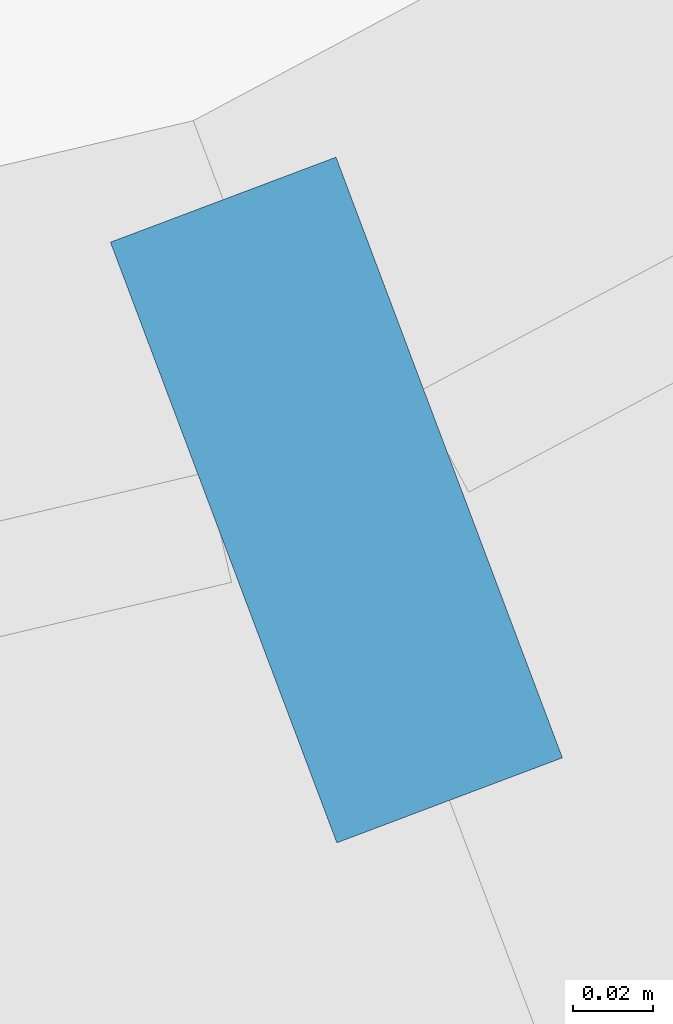
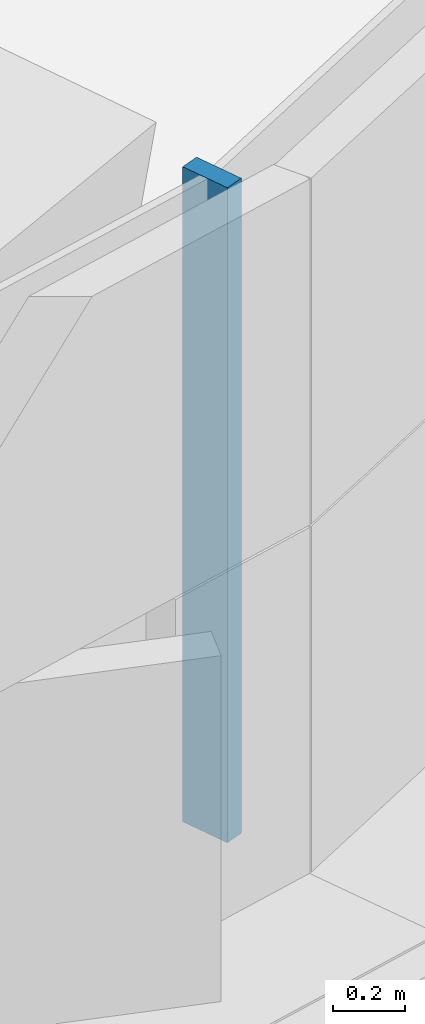
# One storey, part 2 of 33: 1 member, 1 element without a shape of its own.
"""IFC4 building model written with IfcOpenShell, lengths in metres."""

from ifc_helpers import new_model, si_unit, direction, frame, origin, origin_2d, place, context, subcontext, project, spatial, rectangle, extrude, material, layer, layer_set, material_profile, profile_set, type_object, element, aggregate, save


model = new_model("IFC4")

# Units and contexts
model_context = context("Model", 3, precision=1e-05, world=origin(), true_north=direction((0.0, 1.0)))
body_context = subcontext(model_context, "Body", "Model", "MODEL_VIEW")
ifc_project = project(units=[si_unit("LENGTHUNIT", "METRE"), si_unit("AREAUNIT", "SQUARE_METRE"), si_unit("VOLUMEUNIT", "CUBIC_METRE"), si_unit("PLANEANGLEUNIT", "RADIAN"), si_unit("MASSUNIT", "GRAM", prefix="KILO")], contexts=[model_context])

# Site, building, storey
site_placement = place(None, origin())
site = spatial("IfcSite", under=ifc_project, at=site_placement, CompositionType="ELEMENT")
building_placement = place(site_placement, origin())
building = spatial("IfcBuilding", under=site, at=building_placement, Name="Tamarind Cross Interchange Tower", CompositionType="ELEMENT")
storey_placement = place(building_placement, frame((0.0, 0.0, 136.75)))
storey = spatial("IfcBuildingStorey", under=building, at=storey_placement, Name="L33", CompositionType="ELEMENT", Elevation=136.75)

# Curtain wall, member
ifc_material = material(Name="Aluminium 6063-T6", Category="aluminium")
ifc_layer = layer(ifc_material, 0.159912109375)
ifc_layer_set = layer_set([ifc_layer], Name="Aluminium 6063-T6")
curtain_wall_type = type_object("IfcCurtainWallType", Name="Office curtain wall, 9.0 m bays", PredefinedType="NOTDEFINED", material=ifc_layer_set)
curtain_wall_placement = place(storey_placement, origin())
curtain_wall = element("IfcCurtainWall", 1, at=curtain_wall_placement, inside=storey, type_object=curtain_wall_type, Name="CWS-L33-05", PredefinedType="NOTDEFINED")
ifc_material_profile = material_profile(ifc_material, rectangle(XDim=0.06005859375, YDim=0.159912109375, at=origin_2d()), Name="Mullion CW1")
ifc_profile_set = profile_set([ifc_material_profile], Name="Aluminium 6063-T6")
member_type = type_object("IfcMemberType", Name="Mullion CW1", PredefinedType="MULLION", material=ifc_profile_set)
member_placement = place(storey_placement, frame((-41.222900390625, -18.028076171875, 1.39990234375), z_axis=(0.0, 0.0, 1.0), x_axis=(0.93573320528, 0.352708617044, 0.0)))
member = element("IfcMember", 2, at=member_placement, type_object=member_type, Name="CWM-L33-05-00", PredefinedType="MULLION", context=body_context, shape_type="SweptSolid", body=[
    extrude(rectangle(XDim=0.06005859375, YDim=0.159912109375, at=origin_2d()), origin(), (0.0, 0.0, 1.0), 2.210205078125),
])
aggregate(curtain_wall, [member])

save(model, "model.ifc")
